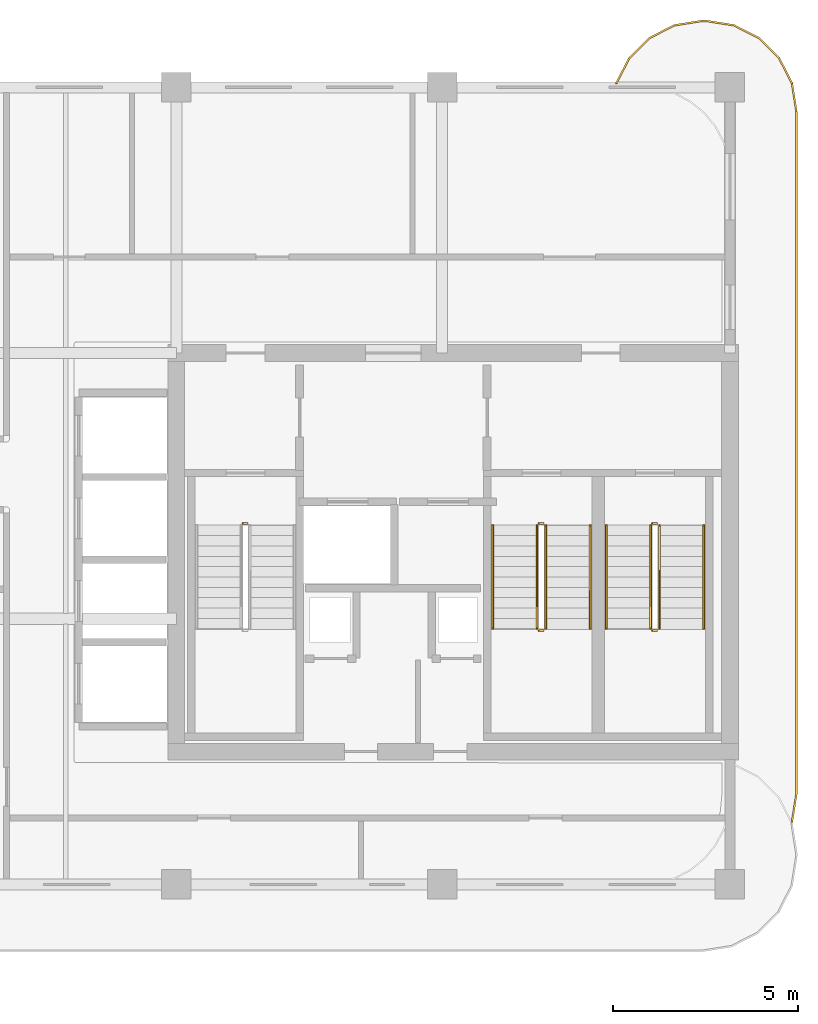
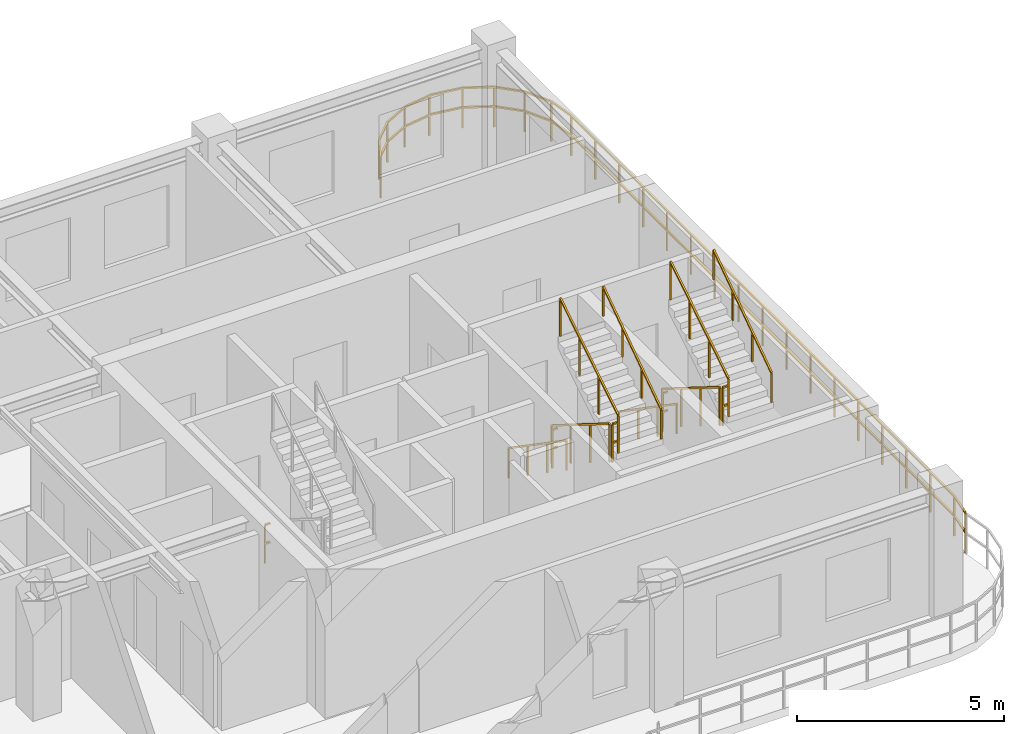
# One storey, part 7 of 7: 14 railings.
"""IFC4 building model written with IfcOpenShell, lengths in metres."""

from ifc_helpers import new_model, si_unit, derived_unit, direction, frame, origin, origin_2d, place, context, subcontext, project, spatial, rectangle, extrude, material, type_object, element, save


model = new_model("IFC4")

# Units and contexts
model_context = context("Model", 3, precision=1e-05, world=origin(), true_north=direction((0.0, 1.0)))
body_context = subcontext(model_context, "Body", "Model", "MODEL_VIEW")
ifc_project = project(units=[si_unit("LENGTHUNIT", "METRE"), si_unit("AREAUNIT", "SQUARE_METRE"), si_unit("VOLUMEUNIT", "CUBIC_METRE"), si_unit("PLANEANGLEUNIT", "RADIAN"), si_unit("MASSUNIT", "GRAM", prefix="KILO"), si_unit("THERMODYNAMICTEMPERATUREUNIT", "KELVIN"), si_unit("POWERUNIT", "WATT"), derived_unit("THERMALTRANSMITTANCEUNIT", [(si_unit("POWERUNIT", "WATT"), 1), (si_unit("AREAUNIT", "SQUARE_METRE"), -1), (si_unit("THERMODYNAMICTEMPERATUREUNIT", "KELVIN"), -1)])], contexts=[model_context])

# Site, building, storey
site_placement = place(None, origin())
site = spatial("IfcSite", under=ifc_project, at=site_placement, CompositionType="ELEMENT")
building_placement = place(site_placement, origin())
building = spatial("IfcBuilding", under=site, at=building_placement, Name="Zahravan Archway Hotel and Residences", CompositionType="ELEMENT")
storey_placement = place(building_placement, frame((0.0, 0.0, 259.64990234375)))
storey = spatial("IfcBuildingStorey", under=building, at=storey_placement, Name="L65", CompositionType="ELEMENT", Elevation=259.64990234375)

# Railings
ifc_material_1 = material(Name="Bronze & Laminated Glass Balustrade", Category="glass")
railing_type_1 = type_object("IfcRailingType", Name="RL-BAL-1200", PredefinedType="BALUSTRADE", material=ifc_material_1)
railing_1_placement = place(storey_placement, frame((46.719970703125, 21.70703125, 0.0)))
element("IfcRailing", 1, at=railing_1_placement, inside=storey, type_object=railing_type_1, Name="L65 Balustrade RL-SLB-BAL-L65-EA-1", PredefinedType="BALUSTRADE", context=body_context, shape_type="SweptSolid", body=[
    extrude(rectangle(XDim=0.048095703125, YDim=0.048095703125, at=origin_2d()), frame((0.0, 0.0, 1.17578125), z_axis=(0.453825591531, 0.891090529897, 0.0), x_axis=(-0.891090529897, 0.453825591531, 0.0)), (0.0, 0.0, 1.0), 0.7666015625),
    extrude(rectangle(XDim=0.048095703125, YDim=0.048095703125, at=origin_2d()), frame((0.0, 0.0, 0.60009765625), z_axis=(0.453825591531, 0.891090529897, 0.0), x_axis=(-0.891090529897, 0.453825591531, 0.0)), (0.0, 0.0, 1.0), 0.7666015625),
    extrude(rectangle(XDim=0.048095703125, YDim=0.048095703125, at=origin_2d()), frame((0.347900390625, 0.68310546875, 1.17578125), z_axis=(0.707106781187, 0.707106781187, 0.0), x_axis=(-0.707106781187, 0.707106781187, 0.0)), (0.0, 0.0, 1.0), 0.7666015625),
    extrude(rectangle(XDim=0.048095703125, YDim=0.048095703125, at=origin_2d()), frame((0.347900390625, 0.68310546875, 0.60009765625), z_axis=(0.707106781187, 0.707106781187, 0.0), x_axis=(-0.707106781187, 0.707106781187, 0.0)), (0.0, 0.0, 1.0), 0.7666015625),
    extrude(rectangle(XDim=0.048095703125, YDim=0.048095703125, at=origin_2d()), frame((0.889892578125, 1.22509765625, 1.17578125), z_axis=(0.891090529897, 0.453825591531, 0.0), x_axis=(-0.453825591531, 0.891090529897, 0.0)), (0.0, 0.0, 1.0), 0.7666015625),
    extrude(rectangle(XDim=0.048095703125, YDim=0.048095703125, at=origin_2d()), frame((0.889892578125, 1.22509765625, 0.60009765625), z_axis=(0.891090529897, 0.453825591531, 0.0), x_axis=(-0.453825591531, 0.891090529897, 0.0)), (0.0, 0.0, 1.0), 0.7666015625),
    extrude(rectangle(XDim=0.048095703125, YDim=0.048095703125, at=origin_2d()), frame((1.572998046875, 1.572998046875, 1.17578125), z_axis=(0.987695728695, 0.156387811283, 0.0), x_axis=(-0.156387811283, 0.987695728695, 0.0)), (0.0, 0.0, 1.0), 0.7666015625),
    extrude(rectangle(XDim=0.048095703125, YDim=0.048095703125, at=origin_2d()), frame((1.572998046875, 1.572998046875, 0.60009765625), z_axis=(0.987695728695, 0.156387811283, 0.0), x_axis=(-0.156387811283, 0.987695728695, 0.0)), (0.0, 0.0, 1.0), 0.7666015625),
    extrude(rectangle(XDim=0.048095703125, YDim=0.048095703125, at=origin_2d()), frame((2.330078125, 1.69287109375, 1.17578125), z_axis=(1.0, 0.0, 0.0), x_axis=(0.0, 1.0, 0.0)), (0.0, 0.0, 1.0), 0.099853515625),
    extrude(rectangle(XDim=0.048095703125, YDim=0.048095703125, at=origin_2d()), frame((2.330078125, 1.69287109375, 0.60009765625), z_axis=(1.0, 0.0, 0.0), x_axis=(0.0, 1.0, 0.0)), (0.0, 0.0, 1.0), 0.099853515625),
    extrude(rectangle(XDim=0.048095703125, YDim=0.048095703125, at=origin_2d()), frame((2.429931640625, 1.69287109375, 1.17578125), z_axis=(0.987695728695, -0.156387811283, 0.0), x_axis=(0.156387811283, 0.987695728695, 0.0)), (0.0, 0.0, 1.0), 0.7666015625),
    extrude(rectangle(XDim=0.048095703125, YDim=0.048095703125, at=origin_2d()), frame((2.429931640625, 1.69287109375, 0.60009765625), z_axis=(0.987695728695, -0.156387811283, 0.0), x_axis=(0.156387811283, 0.987695728695, 0.0)), (0.0, 0.0, 1.0), 0.7666015625),
    extrude(rectangle(XDim=0.048095703125, YDim=0.048095703125, at=origin_2d()), frame((3.18701171875, 1.572998046875, 1.17578125), z_axis=(0.891090529897, -0.453825591531, 0.0), x_axis=(0.453825591531, 0.891090529897, 0.0)), (0.0, 0.0, 1.0), 0.7666015625),
    extrude(rectangle(XDim=0.048095703125, YDim=0.048095703125, at=origin_2d()), frame((3.18701171875, 1.572998046875, 0.60009765625), z_axis=(0.891090529897, -0.453825591531, 0.0), x_axis=(0.453825591531, 0.891090529897, 0.0)), (0.0, 0.0, 1.0), 0.7666015625),
    extrude(rectangle(XDim=0.048095703125, YDim=0.048095703125, at=origin_2d()), frame((3.8701171875, 1.22509765625, 1.17578125), z_axis=(0.707106781187, -0.707106781187, 0.0), x_axis=(0.707106781187, 0.707106781187, 0.0)), (0.0, 0.0, 1.0), 0.7666015625),
    extrude(rectangle(XDim=0.048095703125, YDim=0.048095703125, at=origin_2d()), frame((3.8701171875, 1.22509765625, 0.60009765625), z_axis=(0.707106781187, -0.707106781187, 0.0), x_axis=(0.707106781187, 0.707106781187, 0.0)), (0.0, 0.0, 1.0), 0.7666015625),
    extrude(rectangle(XDim=0.048095703125, YDim=0.048095703125, at=origin_2d()), frame((4.412109375, 0.68310546875, 1.17578125), z_axis=(0.453825591531, -0.891090529897, 0.0), x_axis=(0.891090529897, 0.453825591531, 0.0)), (0.0, 0.0, 1.0), 0.7666015625),
    extrude(rectangle(XDim=0.048095703125, YDim=0.048095703125, at=origin_2d()), frame((4.412109375, 0.68310546875, 0.60009765625), z_axis=(0.453825591531, -0.891090529897, 0.0), x_axis=(0.891090529897, 0.453825591531, 0.0)), (0.0, 0.0, 1.0), 0.7666015625),
    extrude(rectangle(XDim=0.048095703125, YDim=0.048095703125, at=origin_2d()), frame((4.760009765625, 0.0, 1.17578125), z_axis=(0.156698507018, -0.987646484274, 0.0), x_axis=(0.987646484274, 0.156698507018, 0.0)), (0.0, 0.0, 1.0), 0.7666015625),
    extrude(rectangle(XDim=0.048095703125, YDim=0.048095703125, at=origin_2d()), frame((4.760009765625, 0.0, 0.60009765625), z_axis=(0.156698507018, -0.987646484274, 0.0), x_axis=(0.987646484274, 0.156698507018, 0.0)), (0.0, 0.0, 1.0), 0.7666015625),
    extrude(rectangle(XDim=0.048095703125, YDim=0.048095703125, at=origin_2d()), frame((4.880126953125, -0.757080078125, 1.17578125), z_axis=(0.0, -1.0, 0.0), x_axis=(1.0, 0.0, 0.0)), (0.0, 0.0, 1.0), 18.5),
    extrude(rectangle(XDim=0.048095703125, YDim=0.048095703125, at=origin_2d()), frame((4.880126953125, -0.757080078125, 0.60009765625), z_axis=(0.0, -1.0, 0.0), x_axis=(1.0, 0.0, 0.0)), (0.0, 0.0, 1.0), 18.5),
    extrude(rectangle(XDim=0.048095703125, YDim=0.048095703125, at=origin_2d()), frame((4.880126953125, -19.257080078125, 1.17578125), z_axis=(-0.156698507018, -0.987646484274, 0.0), x_axis=(0.987646484274, -0.156698507018, 0.0)), (0.0, 0.0, 1.0), 0.7666015625),
    extrude(rectangle(XDim=0.048095703125, YDim=0.048095703125, at=origin_2d()), frame((4.880126953125, -19.257080078125, 0.60009765625), z_axis=(-0.156698507018, -0.987646484274, 0.0), x_axis=(0.987646484274, -0.156698507018, 0.0)), (0.0, 0.0, 1.0), 0.7666015625),
    extrude(rectangle(XDim=0.0419921875, YDim=0.0419921875, at=origin_2d()), origin(), (0.0, 0.0, 1.0), 1.15185546875),
    extrude(rectangle(XDim=0.0419921875, YDim=0.0419921875, at=origin_2d()), frame((0.347900390625, 0.68310546875, 0.0)), (0.0, 0.0, 1.0), 1.15185546875),
    extrude(rectangle(XDim=0.0419921875, YDim=0.0419921875, at=origin_2d()), frame((0.889892578125, 1.22509765625, 0.0)), (0.0, 0.0, 1.0), 1.15185546875),
    extrude(rectangle(XDim=0.0419921875, YDim=0.0419921875, at=origin_2d()), frame((1.572998046875, 1.572998046875, 0.0)), (0.0, 0.0, 1.0), 1.15185546875),
    extrude(rectangle(XDim=0.0419921875, YDim=0.0419921875, at=origin_2d()), frame((2.330078125, 1.69287109375, 0.0)), (0.0, 0.0, 1.0), 1.15185546875),
    extrude(rectangle(XDim=0.0419921875, YDim=0.0419921875, at=origin_2d()), frame((3.18701171875, 1.572998046875, 0.0)), (0.0, 0.0, 1.0), 1.15185546875),
    extrude(rectangle(XDim=0.0419921875, YDim=0.0419921875, at=origin_2d()), frame((3.8701171875, 1.22509765625, 0.0)), (0.0, 0.0, 1.0), 1.15185546875),
    extrude(rectangle(XDim=0.0419921875, YDim=0.0419921875, at=origin_2d()), frame((4.412109375, 0.68310546875, 0.0)), (0.0, 0.0, 1.0), 1.15185546875),
    extrude(rectangle(XDim=0.0419921875, YDim=0.0419921875, at=origin_2d()), frame((4.760009765625, 0.0, 0.0)), (0.0, 0.0, 1.0), 1.15185546875),
    extrude(rectangle(XDim=0.0419921875, YDim=0.0419921875, at=origin_2d()), frame((4.880126953125, -0.757080078125, 0.0)), (0.0, 0.0, 1.0), 1.15185546875),
    extrude(rectangle(XDim=0.0419921875, YDim=0.0419921875, at=origin_2d()), frame((4.880126953125, -1.913330078125, 0.0)), (0.0, 0.0, 1.0), 1.15185546875),
    extrude(rectangle(XDim=0.0419921875, YDim=0.0419921875, at=origin_2d()), frame((4.880126953125, -3.069580078125, 0.0)), (0.0, 0.0, 1.0), 1.15185546875),
    extrude(rectangle(XDim=0.0419921875, YDim=0.0419921875, at=origin_2d()), frame((4.880126953125, -4.225830078125, 0.0)), (0.0, 0.0, 1.0), 1.15185546875),
    extrude(rectangle(XDim=0.0419921875, YDim=0.0419921875, at=origin_2d()), frame((4.880126953125, -5.382080078125, 0.0)), (0.0, 0.0, 1.0), 1.15185546875),
    extrude(rectangle(XDim=0.0419921875, YDim=0.0419921875, at=origin_2d()), frame((4.880126953125, -6.538330078125, 0.0)), (0.0, 0.0, 1.0), 1.15185546875),
    extrude(rectangle(XDim=0.0419921875, YDim=0.0419921875, at=origin_2d()), frame((4.880126953125, -7.694580078125, 0.0)), (0.0, 0.0, 1.0), 1.15185546875),
    extrude(rectangle(XDim=0.0419921875, YDim=0.0419921875, at=origin_2d()), frame((4.880126953125, -8.850830078125, 0.0)), (0.0, 0.0, 1.0), 1.15185546875),
    extrude(rectangle(XDim=0.0419921875, YDim=0.0419921875, at=origin_2d()), frame((4.880126953125, -10.007080078125, 0.0)), (0.0, 0.0, 1.0), 1.15185546875),
    extrude(rectangle(XDim=0.0419921875, YDim=0.0419921875, at=origin_2d()), frame((4.880126953125, -11.163330078125, 0.0)), (0.0, 0.0, 1.0), 1.15185546875),
    extrude(rectangle(XDim=0.0419921875, YDim=0.0419921875, at=origin_2d()), frame((4.880126953125, -12.319580078125, 0.0)), (0.0, 0.0, 1.0), 1.15185546875),
    extrude(rectangle(XDim=0.0419921875, YDim=0.0419921875, at=origin_2d()), frame((4.880126953125, -13.475830078125, 0.0)), (0.0, 0.0, 1.0), 1.15185546875),
    extrude(rectangle(XDim=0.0419921875, YDim=0.0419921875, at=origin_2d()), frame((4.880126953125, -14.632080078125, 0.0)), (0.0, 0.0, 1.0), 1.15185546875),
    extrude(rectangle(XDim=0.0419921875, YDim=0.0419921875, at=origin_2d()), frame((4.880126953125, -15.788330078125, 0.0)), (0.0, 0.0, 1.0), 1.15185546875),
    extrude(rectangle(XDim=0.0419921875, YDim=0.0419921875, at=origin_2d()), frame((4.880126953125, -16.944580078125, 0.0)), (0.0, 0.0, 1.0), 1.15185546875),
    extrude(rectangle(XDim=0.0419921875, YDim=0.0419921875, at=origin_2d()), frame((4.880126953125, -18.100830078125, 0.0)), (0.0, 0.0, 1.0), 1.15185546875),
    extrude(rectangle(XDim=0.0419921875, YDim=0.0419921875, at=origin_2d()), frame((4.880126953125, -19.257080078125, 0.0)), (0.0, 0.0, 1.0), 1.15185546875),
    extrude(rectangle(XDim=0.0419921875, YDim=0.0419921875, at=origin_2d()), frame((4.760009765625, -20.01416015625, 0.0)), (0.0, 0.0, 1.0), 1.15185546875),
])
ifc_material_2 = material(Name="Painted Tubular Steel", Category="steel")
railing_type_2 = type_object("IfcRailingType", Name="RL-STG-1150", PredefinedType="GUARDRAIL", material=ifc_material_2)
railing_2_placement = place(storey_placement, frame((36.60009765625, 9.780029296875, 0.0)))
element("IfcRailing", 2, at=railing_2_placement, inside=storey, type_object=railing_type_2, Name="L65 ST-A1 stair guard 4", PredefinedType="GUARDRAIL", context=body_context, shape_type="SweptSolid", body=[
    extrude(rectangle(XDim=0.048095703125, YDim=0.048095703125, at=origin_2d()), frame((0.0, 0.0, 1.1259765625), z_axis=(1.0, 0.0, 0.0), x_axis=(0.0, 1.0, 0.0)), (0.0, 0.0, 1.0), 0.139892578125),
    extrude(rectangle(XDim=0.048095703125, YDim=0.048095703125, at=origin_2d()), frame((0.0, 0.0, 0.574951171875), z_axis=(1.0, 0.0, 0.0), x_axis=(0.0, 1.0, 0.0)), (0.0, 0.0, 1.0), 0.139892578125),
    extrude(rectangle(XDim=0.0419921875, YDim=0.0419921875, at=origin_2d()), origin(), (0.0, 0.0, 1.0), 1.101806640625),
])
railing_3_placement = place(storey_placement, frame((44.570068359375, 9.72998046875, 0.175048828125)))
element("IfcRailing", 3, at=railing_3_placement, inside=storey, type_object=railing_type_2, Name="L65 ST-A2 stair guard 1", PredefinedType="GUARDRAIL", context=body_context, shape_type="SweptSolid", body=[
    extrude(rectangle(XDim=0.048095703125, YDim=0.048095703125, at=origin_2d()), frame((0.0, 0.0, 1.1259765625), z_axis=(0.0, -0.848002457836, 0.529992293815), x_axis=(1.0, 0.0, 0.0)), (0.0, 0.0, 1.0), 3.302001953125),
    extrude(rectangle(XDim=0.0419921875, YDim=0.0419921875, at=origin_2d()), origin(), (0.0, 0.0, 1.0), 1.101806640625),
    extrude(rectangle(XDim=0.0419921875, YDim=0.0419921875, at=origin_2d()), frame((0.0, -0.933349609375, 0.583251953125)), (0.0, 0.0, 1.0), 1.101806640625),
    extrude(rectangle(XDim=0.0419921875, YDim=0.0419921875, at=origin_2d()), frame((0.0, -1.86669921875, 1.166748046875)), (0.0, 0.0, 1.0), 1.101806640625),
    extrude(rectangle(XDim=0.0419921875, YDim=0.0419921875, at=origin_2d()), frame((0.0, -2.800048828125, 1.75)), (0.0, 0.0, 1.0), 1.101806640625),
])
railing_4_placement = place(storey_placement, frame((44.6201171875, 6.8798828125, 1.925048828125)))
element("IfcRailing", 4, at=railing_4_placement, inside=storey, type_object=railing_type_2, Name="L65 ST-A2 stair guard 2", PredefinedType="GUARDRAIL", context=body_context, shape_type="SweptSolid", body=[
    extrude(rectangle(XDim=0.048095703125, YDim=0.048095703125, at=origin_2d()), frame((0.0, 0.0, 1.1259765625), z_axis=(1.0, 0.0, 0.0), x_axis=(0.0, 1.0, 0.0)), (0.0, 0.0, 1.0), 0.139892578125),
    extrude(rectangle(XDim=0.048095703125, YDim=0.048095703125, at=origin_2d()), frame((0.0, 0.0, 0.574951171875), z_axis=(1.0, 0.0, 0.0), x_axis=(0.0, 1.0, 0.0)), (0.0, 0.0, 1.0), 0.139892578125),
    extrude(rectangle(XDim=0.0419921875, YDim=0.0419921875, at=origin_2d()), origin(), (0.0, 0.0, 1.0), 1.101806640625),
])
railing_5_placement = place(storey_placement, frame((44.81005859375, 6.929931640625, 2.10009765625)))
element("IfcRailing", 5, at=railing_5_placement, inside=storey, type_object=railing_type_2, Name="L65 ST-A2 stair guard 3", PredefinedType="GUARDRAIL", context=body_context, shape_type="SweptSolid", body=[
    extrude(rectangle(XDim=0.048095703125, YDim=0.048095703125, at=origin_2d()), frame((0.0, 0.0, 1.1259765625), z_axis=(0.0, 0.848002457836, 0.529992293815), x_axis=(-1.0, 0.0, 0.0)), (0.0, 0.0, 1.0), 3.302001953125),
    extrude(rectangle(XDim=0.0419921875, YDim=0.0419921875, at=origin_2d()), origin(), (0.0, 0.0, 1.0), 1.101806640625),
    extrude(rectangle(XDim=0.0419921875, YDim=0.0419921875, at=origin_2d()), frame((0.0, 0.933349609375, 0.583251953125)), (0.0, 0.0, 1.0), 1.101806640625),
    extrude(rectangle(XDim=0.0419921875, YDim=0.0419921875, at=origin_2d()), frame((0.0, 1.86669921875, 1.166748046875)), (0.0, 0.0, 1.0), 1.101806640625),
    extrude(rectangle(XDim=0.0419921875, YDim=0.0419921875, at=origin_2d()), frame((0.0, 2.800048828125, 1.75)), (0.0, 0.0, 1.0), 1.101806640625),
])
railing_6_placement = place(storey_placement, frame((44.6201171875, 9.780029296875, 0.0)))
element("IfcRailing", 6, at=railing_6_placement, inside=storey, type_object=railing_type_2, Name="L65 ST-A2 stair guard 4", PredefinedType="GUARDRAIL", context=body_context, shape_type="SweptSolid", body=[
    extrude(rectangle(XDim=0.048095703125, YDim=0.048095703125, at=origin_2d()), frame((0.0, 0.0, 1.1259765625), z_axis=(1.0, 0.0, 0.0), x_axis=(0.0, 1.0, 0.0)), (0.0, 0.0, 1.0), 0.139892578125),
    extrude(rectangle(XDim=0.048095703125, YDim=0.048095703125, at=origin_2d()), frame((0.0, 0.0, 0.574951171875), z_axis=(1.0, 0.0, 0.0), x_axis=(0.0, 1.0, 0.0)), (0.0, 0.0, 1.0), 0.139892578125),
    extrude(rectangle(XDim=0.0419921875, YDim=0.0419921875, at=origin_2d()), origin(), (0.0, 0.0, 1.0), 1.101806640625),
])
railing_7_placement = place(storey_placement, frame((47.64990234375, 9.72998046875, 0.175048828125)))
element("IfcRailing", 7, at=railing_7_placement, inside=storey, type_object=railing_type_2, Name="L65 ST-A3 stair guard 1", PredefinedType="GUARDRAIL", context=body_context, shape_type="SweptSolid", body=[
    extrude(rectangle(XDim=0.048095703125, YDim=0.048095703125, at=origin_2d()), frame((0.0, 0.0, 1.1259765625), z_axis=(0.0, -0.848002457836, 0.529992293815), x_axis=(1.0, 0.0, 0.0)), (0.0, 0.0, 1.0), 3.302001953125),
    extrude(rectangle(XDim=0.0419921875, YDim=0.0419921875, at=origin_2d()), origin(), (0.0, 0.0, 1.0), 1.101806640625),
    extrude(rectangle(XDim=0.0419921875, YDim=0.0419921875, at=origin_2d()), frame((0.0, -0.933349609375, 0.583251953125)), (0.0, 0.0, 1.0), 1.101806640625),
    extrude(rectangle(XDim=0.0419921875, YDim=0.0419921875, at=origin_2d()), frame((0.0, -1.86669921875, 1.166748046875)), (0.0, 0.0, 1.0), 1.101806640625),
    extrude(rectangle(XDim=0.0419921875, YDim=0.0419921875, at=origin_2d()), frame((0.0, -2.800048828125, 1.75)), (0.0, 0.0, 1.0), 1.101806640625),
])
railing_8_placement = place(storey_placement, frame((47.699951171875, 6.8798828125, 1.925048828125)))
element("IfcRailing", 8, at=railing_8_placement, inside=storey, type_object=railing_type_2, Name="L65 ST-A3 stair guard 2", PredefinedType="GUARDRAIL", context=body_context, shape_type="SweptSolid", body=[
    extrude(rectangle(XDim=0.048095703125, YDim=0.048095703125, at=origin_2d()), frame((0.0, 0.0, 1.1259765625), z_axis=(1.0, 0.0, 0.0), x_axis=(0.0, 1.0, 0.0)), (0.0, 0.0, 1.0), 0.14013671875),
    extrude(rectangle(XDim=0.048095703125, YDim=0.048095703125, at=origin_2d()), frame((0.0, 0.0, 0.574951171875), z_axis=(1.0, 0.0, 0.0), x_axis=(0.0, 1.0, 0.0)), (0.0, 0.0, 1.0), 0.14013671875),
    extrude(rectangle(XDim=0.0419921875, YDim=0.0419921875, at=origin_2d()), origin(), (0.0, 0.0, 1.0), 1.101806640625),
])
railing_9_placement = place(storey_placement, frame((47.889892578125, 6.929931640625, 2.10009765625)))
element("IfcRailing", 9, at=railing_9_placement, inside=storey, type_object=railing_type_2, Name="L65 ST-A3 stair guard 3", PredefinedType="GUARDRAIL", context=body_context, shape_type="SweptSolid", body=[
    extrude(rectangle(XDim=0.048095703125, YDim=0.048095703125, at=origin_2d()), frame((0.0, 0.0, 1.1259765625), z_axis=(0.0, 0.848002457836, 0.529992293815), x_axis=(-1.0, 0.0, 0.0)), (0.0, 0.0, 1.0), 3.302001953125),
    extrude(rectangle(XDim=0.0419921875, YDim=0.0419921875, at=origin_2d()), origin(), (0.0, 0.0, 1.0), 1.101806640625),
    extrude(rectangle(XDim=0.0419921875, YDim=0.0419921875, at=origin_2d()), frame((0.0, 0.933349609375, 0.583251953125)), (0.0, 0.0, 1.0), 1.101806640625),
    extrude(rectangle(XDim=0.0419921875, YDim=0.0419921875, at=origin_2d()), frame((0.0, 1.86669921875, 1.166748046875)), (0.0, 0.0, 1.0), 1.101806640625),
    extrude(rectangle(XDim=0.0419921875, YDim=0.0419921875, at=origin_2d()), frame((0.0, 2.800048828125, 1.75)), (0.0, 0.0, 1.0), 1.101806640625),
])
railing_10_placement = place(storey_placement, frame((47.699951171875, 9.780029296875, 0.0)))
element("IfcRailing", 10, at=railing_10_placement, inside=storey, type_object=railing_type_2, Name="L65 ST-A3 stair guard 4", PredefinedType="GUARDRAIL", context=body_context, shape_type="SweptSolid", body=[
    extrude(rectangle(XDim=0.048095703125, YDim=0.048095703125, at=origin_2d()), frame((0.0, 0.0, 1.1259765625), z_axis=(1.0, 0.0, 0.0), x_axis=(0.0, 1.0, 0.0)), (0.0, 0.0, 1.0), 0.14013671875),
    extrude(rectangle(XDim=0.048095703125, YDim=0.048095703125, at=origin_2d()), frame((0.0, 0.0, 0.574951171875), z_axis=(1.0, 0.0, 0.0), x_axis=(0.0, 1.0, 0.0)), (0.0, 0.0, 1.0), 0.14013671875),
    extrude(rectangle(XDim=0.0419921875, YDim=0.0419921875, at=origin_2d()), origin(), (0.0, 0.0, 1.0), 1.101806640625),
])
ifc_material_3 = material(Name="Brushed Stainless Steel", Category="steel")
railing_type_3 = type_object("IfcRailingType", Name="RL-STH-900", PredefinedType="HANDRAIL", material=ifc_material_3)
railing_11_placement = place(storey_placement, frame((43.3701171875, 9.72998046875, 0.175048828125)))
element("IfcRailing", 11, at=railing_11_placement, inside=storey, type_object=railing_type_3, Name="L65 ST-A2 stair handrail 1", PredefinedType="HANDRAIL", context=body_context, shape_type="SweptSolid", body=[
    extrude(rectangle(XDim=0.048095703125, YDim=0.048095703125, at=origin_2d()), frame((0.0, 0.0, 0.8759765625), z_axis=(0.0, -0.824039827795, 0.566531872191), x_axis=(1.0, 0.0, 0.0)), (0.0, 0.0, 1.0), 3.39794921875),
    extrude(rectangle(XDim=0.0419921875, YDim=0.0419921875, at=origin_2d()), origin(), (0.0, 0.0, 1.0), 0.851806640625),
    extrude(rectangle(XDim=0.0419921875, YDim=0.0419921875, at=origin_2d()), frame((0.0, -0.933349609375, 0.6416015625)), (0.0, 0.0, 1.0), 0.851806640625),
    extrude(rectangle(XDim=0.0419921875, YDim=0.0419921875, at=origin_2d()), frame((0.0, -1.86669921875, 1.283447265625)), (0.0, 0.0, 1.0), 0.851806640625),
    extrude(rectangle(XDim=0.0419921875, YDim=0.0419921875, at=origin_2d()), frame((0.0, -2.800048828125, 1.925048828125)), (0.0, 0.0, 1.0), 0.851806640625),
])
railing_12_placement = place(storey_placement, frame((46.010009765625, 6.929931640625, 2.10009765625)))
element("IfcRailing", 12, at=railing_12_placement, inside=storey, type_object=railing_type_3, Name="L65 ST-A2 stair handrail 2", PredefinedType="HANDRAIL", context=body_context, shape_type="SweptSolid", body=[
    extrude(rectangle(XDim=0.048095703125, YDim=0.048095703125, at=origin_2d()), frame((0.0, 0.0, 0.8759765625), z_axis=(0.0, 0.824039827795, 0.566531872191), x_axis=(-1.0, 0.0, 0.0)), (0.0, 0.0, 1.0), 3.39794921875),
    extrude(rectangle(XDim=0.0419921875, YDim=0.0419921875, at=origin_2d()), origin(), (0.0, 0.0, 1.0), 0.851806640625),
    extrude(rectangle(XDim=0.0419921875, YDim=0.0419921875, at=origin_2d()), frame((0.0, 0.933349609375, 0.6416015625)), (0.0, 0.0, 1.0), 0.851806640625),
    extrude(rectangle(XDim=0.0419921875, YDim=0.0419921875, at=origin_2d()), frame((0.0, 1.86669921875, 1.283447265625)), (0.0, 0.0, 1.0), 0.851806640625),
    extrude(rectangle(XDim=0.0419921875, YDim=0.0419921875, at=origin_2d()), frame((0.0, 2.800048828125, 1.925048828125)), (0.0, 0.0, 1.0), 0.851806640625),
])
railing_13_placement = place(storey_placement, frame((46.449951171875, 9.72998046875, 0.175048828125)))
element("IfcRailing", 13, at=railing_13_placement, inside=storey, type_object=railing_type_3, Name="L65 ST-A3 stair handrail 1", PredefinedType="HANDRAIL", context=body_context, shape_type="SweptSolid", body=[
    extrude(rectangle(XDim=0.048095703125, YDim=0.048095703125, at=origin_2d()), frame((0.0, 0.0, 0.8759765625), z_axis=(0.0, -0.824039827795, 0.566531872191), x_axis=(1.0, 0.0, 0.0)), (0.0, 0.0, 1.0), 3.39794921875),
    extrude(rectangle(XDim=0.0419921875, YDim=0.0419921875, at=origin_2d()), origin(), (0.0, 0.0, 1.0), 0.851806640625),
    extrude(rectangle(XDim=0.0419921875, YDim=0.0419921875, at=origin_2d()), frame((0.0, -0.933349609375, 0.6416015625)), (0.0, 0.0, 1.0), 0.851806640625),
    extrude(rectangle(XDim=0.0419921875, YDim=0.0419921875, at=origin_2d()), frame((0.0, -1.86669921875, 1.283447265625)), (0.0, 0.0, 1.0), 0.851806640625),
    extrude(rectangle(XDim=0.0419921875, YDim=0.0419921875, at=origin_2d()), frame((0.0, -2.800048828125, 1.925048828125)), (0.0, 0.0, 1.0), 0.851806640625),
])
railing_14_placement = place(storey_placement, frame((49.090087890625, 6.929931640625, 2.10009765625)))
element("IfcRailing", 14, at=railing_14_placement, inside=storey, type_object=railing_type_3, Name="L65 ST-A3 stair handrail 2", PredefinedType="HANDRAIL", context=body_context, shape_type="SweptSolid", body=[
    extrude(rectangle(XDim=0.048095703125, YDim=0.048095703125, at=origin_2d()), frame((0.0, 0.0, 0.8759765625), z_axis=(0.0, 0.824039827795, 0.566531872191), x_axis=(-1.0, 0.0, 0.0)), (0.0, 0.0, 1.0), 3.39794921875),
    extrude(rectangle(XDim=0.0419921875, YDim=0.0419921875, at=origin_2d()), origin(), (0.0, 0.0, 1.0), 0.851806640625),
    extrude(rectangle(XDim=0.0419921875, YDim=0.0419921875, at=origin_2d()), frame((0.0, 0.933349609375, 0.6416015625)), (0.0, 0.0, 1.0), 0.851806640625),
    extrude(rectangle(XDim=0.0419921875, YDim=0.0419921875, at=origin_2d()), frame((0.0, 1.86669921875, 1.283447265625)), (0.0, 0.0, 1.0), 0.851806640625),
    extrude(rectangle(XDim=0.0419921875, YDim=0.0419921875, at=origin_2d()), frame((0.0, 2.800048828125, 1.925048828125)), (0.0, 0.0, 1.0), 0.851806640625),
])

save(model, "model.ifc")
